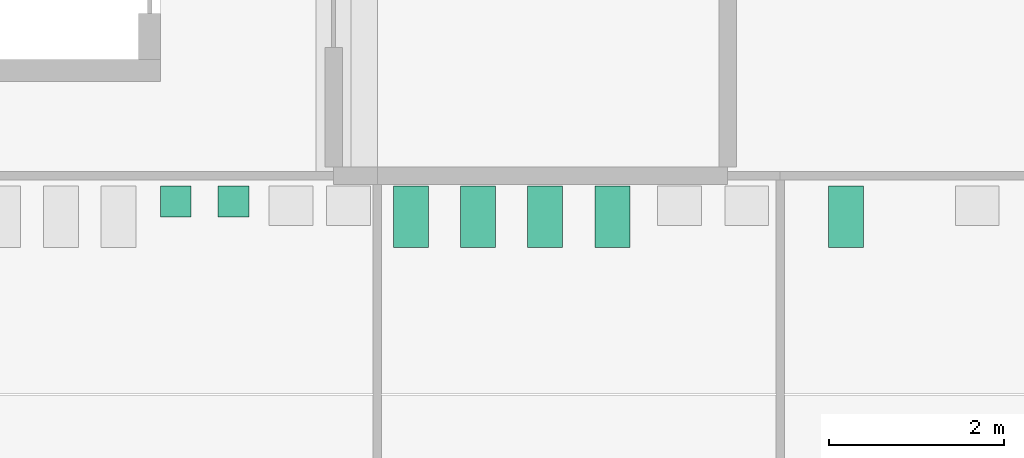
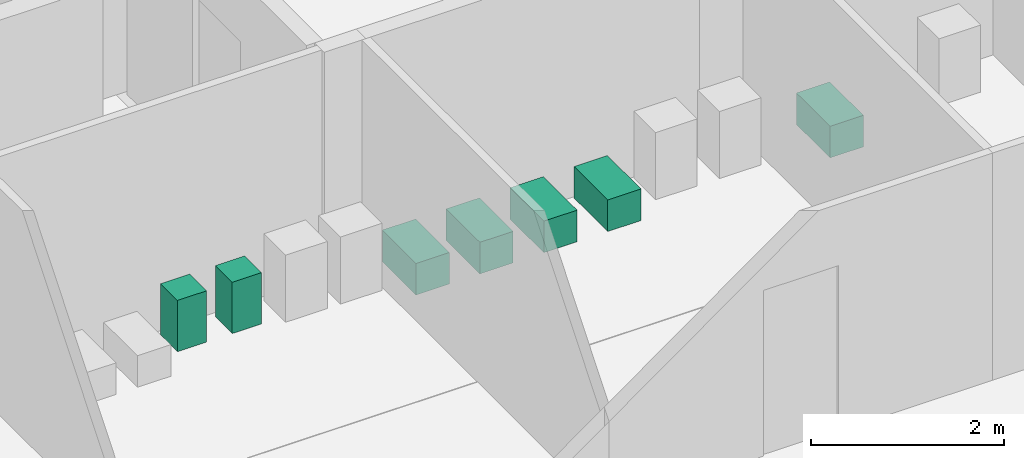
# One storey, part 66 of 67: 7 sanitary terminals.
"""IFC4 building model written with IfcOpenShell, lengths in metres."""

from ifc_helpers import new_model, si_unit, direction, frame, origin, origin_2d, place, context, subcontext, project, spatial, rectangle, extrude, material, type_object, element, save


model = new_model("IFC4")

# Units and contexts
model_context = context("Model", 3, precision=1e-05, world=origin(), true_north=direction((0.0, 1.0)))
body_context = subcontext(model_context, "Body", "Model", "MODEL_VIEW")
ifc_project = project(units=[si_unit("LENGTHUNIT", "METRE"), si_unit("AREAUNIT", "SQUARE_METRE"), si_unit("VOLUMEUNIT", "CUBIC_METRE"), si_unit("PLANEANGLEUNIT", "RADIAN"), si_unit("MASSUNIT", "GRAM", prefix="KILO")], contexts=[model_context])

# Site, building, storey
site_placement = place(None, origin())
site = spatial("IfcSite", under=ifc_project, at=site_placement, CompositionType="ELEMENT")
building_placement = place(site_placement, origin())
building = spatial("IfcBuilding", under=site, at=building_placement, Name="Cour d'Honneur Mobility Palace", CompositionType="ELEMENT")
storey_placement = place(building_placement, frame((0.0, 0.0, 4.5)))
storey = spatial("IfcBuildingStorey", under=building, at=storey_placement, Name="L01", CompositionType="ELEMENT", Elevation=4.5)

# Sanitary terminals
ifc_material_1 = material(Name="Vitreous china")
sanitary_terminal_type_1 = type_object("IfcSanitaryTerminalType", Name="Urinal", PredefinedType="URINAL", material=ifc_material_1)
for number, where, z_axis, x_axis, name in (
    (1, (4.5, 107.10498046875, 0.0), (0.0, 0.0, 1.0), (1.0, 0.0, 0.0), "Urinal WC Men West"),
    (2, (5.156982421875, 107.10498046875, 0.0), (0.0, 0.0, 1.0), (1.0, 0.0, 0.0), "Urinal WC Men West"),
):
    element("IfcSanitaryTerminal", number, at=place(storey_placement, frame(where, z_axis=z_axis, x_axis=x_axis)), inside=storey, type_object=sanitary_terminal_type_1, Name=name, PredefinedType="URINAL", context=body_context, shape_type="SweptSolid", body=[
        extrude(rectangle(XDim=0.35009765625, YDim=0.35009765625, at=origin_2d()), origin(), (0.0, 0.0, 1.0), 0.64990234375),
    ])
ifc_material_2 = material(Name="Vitreous china")
sanitary_terminal_type_2 = type_object("IfcSanitaryTerminalType", Name="Water closet", PredefinedType="WCSEAT", material=ifc_material_2)
for number, where, z_axis, x_axis, name in (
    (3, (7.183349609375, 106.929931640625, 0.0), (0.0, 0.0, 1.0), (1.0, 0.0, 0.0), "Water closet WC Women West"),
    (4, (7.949951171875, 106.929931640625, 0.0), (0.0, 0.0, 1.0), (1.0, 0.0, 0.0), "Water closet WC Women West"),
    (5, (8.716796875, 106.929931640625, 0.0), (0.0, 0.0, 1.0), (1.0, 0.0, 0.0), "Water closet WC Women West"),
    (6, (9.4833984375, 106.929931640625, 0.0), (0.0, 0.0, 1.0), (1.0, 0.0, 0.0), "Water closet WC Women West"),
    (7, (12.14990234375, 106.929931640625, 0.0), (0.0, 0.0, 1.0), (1.0, 0.0, 0.0), "Water closet Accessible WC West"),
):
    element("IfcSanitaryTerminal", number, at=place(storey_placement, frame(where, z_axis=z_axis, x_axis=x_axis)), inside=storey, type_object=sanitary_terminal_type_2, Name=name, PredefinedType="WCSEAT", context=body_context, shape_type="SweptSolid", body=[
        extrude(rectangle(XDim=0.39990234375, YDim=0.699951171875, at=origin_2d()), origin(), (0.0, 0.0, 1.0), 0.39990234375),
    ])

save(model, "model.ifc")
